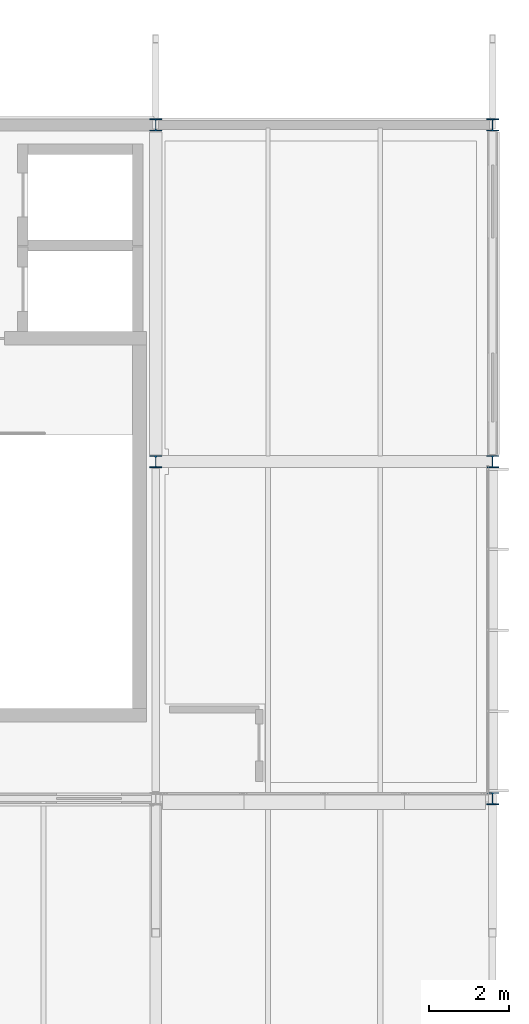
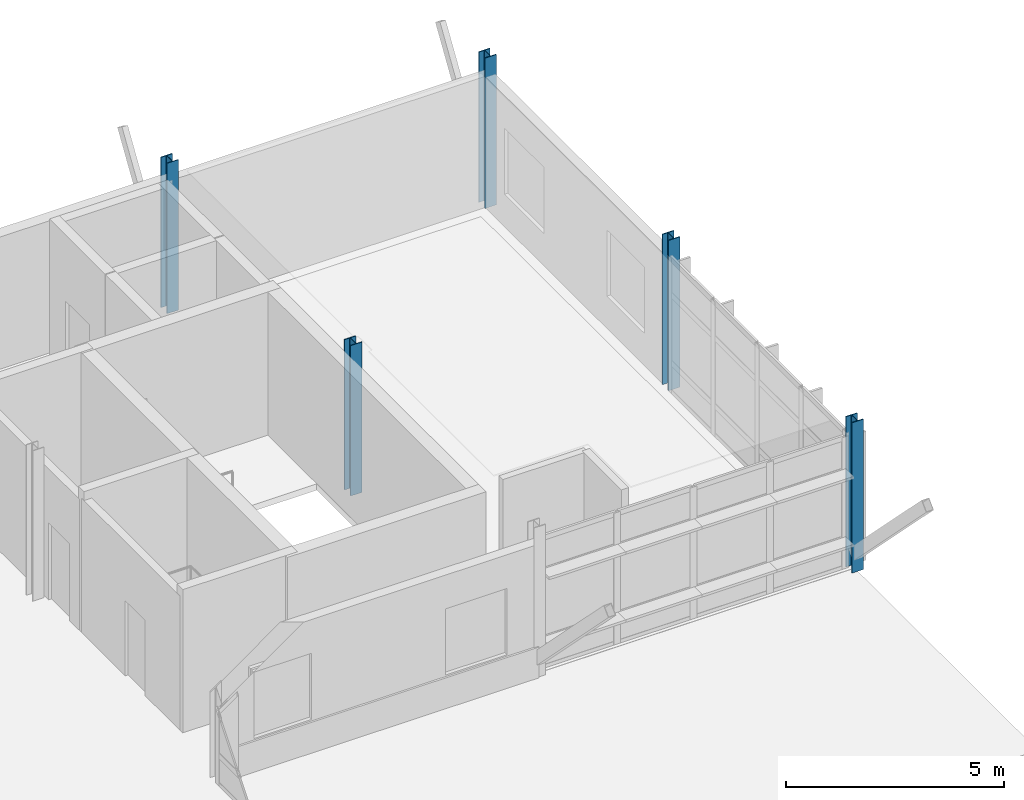
# One storey, part 4 of 35: 5 columns.
"""IFC4 building model written with IfcOpenShell, lengths in metres."""

from ifc_helpers import new_model, si_unit, direction, frame, origin, origin_2d, place, context, subcontext, project, spatial, i_section, extrude, material, material_profile, profile_set, type_object, element, save


model = new_model("IFC4")

# Units and contexts
model_context = context("Model", 3, precision=1e-05, world=origin(), true_north=direction((0.0, 1.0)))
body_context = subcontext(model_context, "Body", "Model", "MODEL_VIEW")
ifc_project = project(units=[si_unit("LENGTHUNIT", "METRE"), si_unit("AREAUNIT", "SQUARE_METRE"), si_unit("VOLUMEUNIT", "CUBIC_METRE"), si_unit("PLANEANGLEUNIT", "RADIAN"), si_unit("MASSUNIT", "GRAM", prefix="KILO")], contexts=[model_context])

# Site, building, storey
site_placement = place(None, origin())
site = spatial("IfcSite", under=ifc_project, at=site_placement, CompositionType="ELEMENT")
building_placement = place(site_placement, origin())
building = spatial("IfcBuilding", under=site, at=building_placement, Name="Mersafa Astral City Hall", CompositionType="ELEMENT")
storey_placement = place(building_placement, frame((0.0, 0.0, 30.14990234375)))
storey = spatial("IfcBuildingStorey", under=building, at=storey_placement, Name="L07", CompositionType="ELEMENT", Elevation=30.14990234375)

# Columns
ifc_material = material(Name="Steel S355", Category="steel")
ifc_material_profile = material_profile(ifc_material, i_section(OverallWidth=0.300048828125, OverallDepth=0.300048828125, WebThickness=0.010986328125, FlangeThickness=0.01904296875, FilletRadius=0.027099609375, at=origin_2d()), Name="HEB 300")
ifc_profile_set = profile_set([ifc_material_profile], Name="Steel S355")
column_type = type_object("IfcColumnType", Name="STR-COL-HEB300", PredefinedType="COLUMN", material=ifc_profile_set)
for number, where, z_axis, x_axis, name in (
    (1, (176.39990234375, 117.60009765625, 0.0), (0.0, 0.0, 1.0), (1.0, 0.0, 0.0), "L07 Structural column G-21-14"),
    (2, (176.39990234375, 126.0, 0.0), (0.0, 0.0, 1.0), (1.0, 0.0, 0.0), "L07 Structural column G-21-15"),
    (3, (184.800048828125, 109.199951171875, 0.0), (0.0, 0.0, 1.0), (1.0, 0.0, 0.0), "L07 Structural column G-22-13"),
    (4, (184.800048828125, 117.60009765625, 0.0), (0.0, 0.0, 1.0), (1.0, 0.0, 0.0), "L07 Structural column G-22-14"),
    (5, (184.800048828125, 126.0, 0.0), (0.0, 0.0, 1.0), (1.0, 0.0, 0.0), "L07 Structural column G-22-15"),
):
    element("IfcColumn", number, at=place(storey_placement, frame(where, z_axis=z_axis, x_axis=x_axis)), inside=storey, type_object=column_type, Name=name, PredefinedType="COLUMN", context=body_context, shape_type="SweptSolid", body=[
        extrude(i_section(OverallWidth=0.300048828125, OverallDepth=0.300048828125, WebThickness=0.010986328125, FlangeThickness=0.01904296875, FilletRadius=0.027099609375, at=origin_2d()), origin(), (0.0, 0.0, 1.0), 4.2001953125),
    ])

save(model, "model.ifc")
